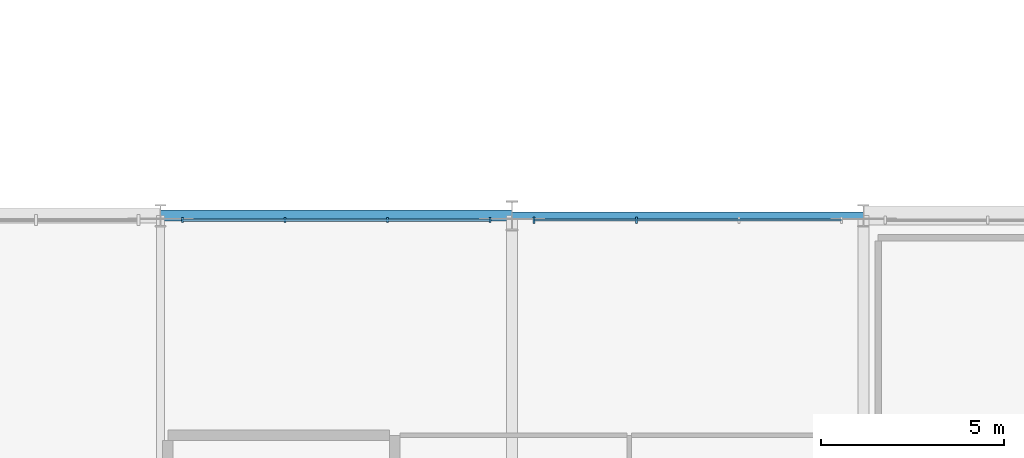
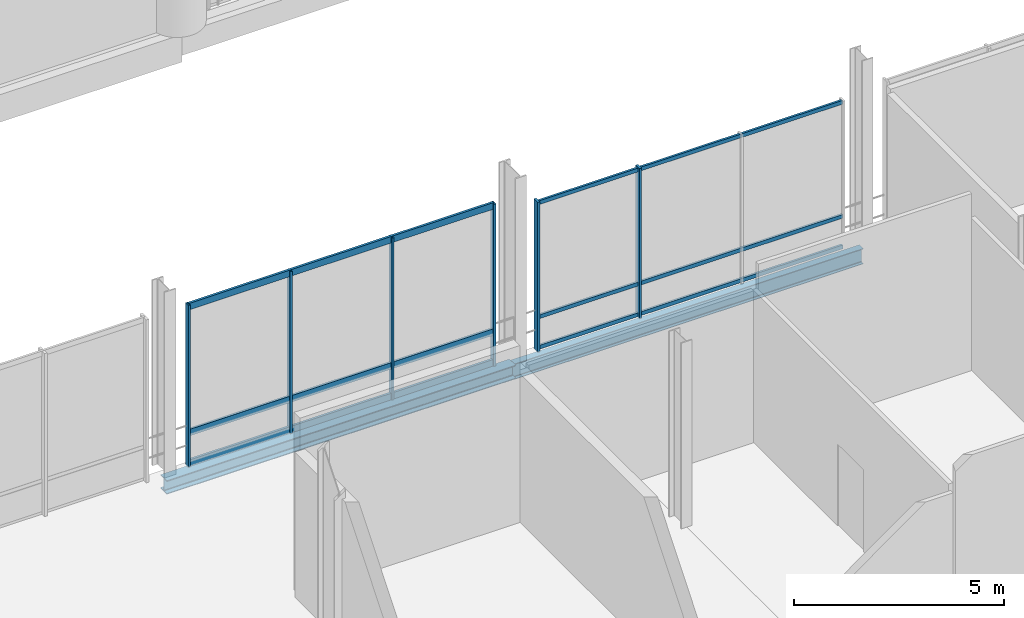
# One storey, part 34 of 129: 12 members, 2 beams, 2 elements without a shape of their own.
"""IFC4 building model written with IfcOpenShell, lengths in metres."""

from ifc_helpers import new_model, si_unit, direction, frame, origin, origin_2d, place, context, subcontext, project, spatial, rectangle, i_section, extrude, material, material_profile, profile_set, type_object, element, aggregate, save


model = new_model("IFC4")

# Units and contexts
model_context = context("Model", 3, precision=1e-05, world=origin(), true_north=direction((0.0, 1.0)))
body_context = subcontext(model_context, "Body", "Model", "MODEL_VIEW")
ifc_project = project(units=[si_unit("LENGTHUNIT", "METRE"), si_unit("AREAUNIT", "SQUARE_METRE"), si_unit("VOLUMEUNIT", "CUBIC_METRE"), si_unit("PLANEANGLEUNIT", "RADIAN"), si_unit("MASSUNIT", "GRAM", prefix="KILO")], contexts=[model_context])

# Site, building, storey
site_placement = place(None, origin())
site = spatial("IfcSite", under=ifc_project, at=site_placement, CompositionType="ELEMENT")
building_placement = place(site_placement, origin())
building = spatial("IfcBuilding", under=site, at=building_placement, Name="Danafjord Basin Convention Centre", CompositionType="ELEMENT")
storey_placement = place(building_placement, frame((0.0, 0.0, 6.0)))
storey = spatial("IfcBuildingStorey", under=building, at=storey_placement, Name="L01", CompositionType="ELEMENT", Elevation=6.0)

# Beams
ifc_material_1 = material(Name="Steel S355", Category="steel")
ifc_material_profile_1 = material_profile(ifc_material_1, i_section(OverallWidth=0.300048828125, OverallDepth=0.39990234375, WebThickness=0.013427734375, FlangeThickness=0.02392578125, FilletRadius=0.027099609375, at=origin_2d()), Name="HEB 400")
ifc_profile_set_1 = profile_set([ifc_material_profile_1], Name="Steel S355")
beam_type_1 = type_object("IfcBeamType", Name="BEAM-SP-HEB400", PredefinedType="SPANDREL", material=ifc_profile_set_1)
beam_1_placement = place(storey_placement, frame((48.0, 40.0, -0.429931640625), z_axis=(1.0, 0.0, 0.0), x_axis=(0.0, 1.0, 0.0)))
element("IfcBeam", 1, at=beam_1_placement, inside=storey, type_object=beam_type_1, Name="L01 girder SP-HEB400", PredefinedType="SPANDREL", context=body_context, shape_type="SweptSolid", body=[
    extrude(i_section(OverallWidth=0.300048828125, OverallDepth=0.39990234375, WebThickness=0.013427734375, FlangeThickness=0.02392578125, FilletRadius=0.027099609375, at=origin_2d()), origin(), (0.0, 0.0, 1.0), 9.60009765625),
])
ifc_material_profile_2 = material_profile(ifc_material_1, i_section(OverallWidth=0.18994140625, OverallDepth=0.449951171875, WebThickness=0.009521484375, FlangeThickness=0.0146484375, FilletRadius=0.02099609375, at=origin_2d()), Name="IPE 450")
ifc_profile_set_2 = profile_set([ifc_material_profile_2], Name="Steel S355")
beam_type_2 = type_object("IfcBeamType", Name="BEAM-SP-IPE450", PredefinedType="SPANDREL", material=ifc_profile_set_2)
beam_2_placement = place(storey_placement, frame((57.60009765625, 40.0, -0.455078125), z_axis=(1.0, 0.0, 0.0), x_axis=(0.0, 1.0, 0.0)))
element("IfcBeam", 2, at=beam_2_placement, inside=storey, type_object=beam_type_2, Name="L01 girder SP-IPE450", PredefinedType="SPANDREL", context=body_context, shape_type="SweptSolid", body=[
    extrude(i_section(OverallWidth=0.18994140625, OverallDepth=0.449951171875, WebThickness=0.009521484375, FlangeThickness=0.0146484375, FilletRadius=0.02099609375, at=origin_2d()), origin(), (0.0, 0.0, 1.0), 9.599853515625),
])

# Curtain wall, members
ifc_material_2 = material(Name="Anodised aluminium and triple glazing", Category="aluminium")
curtain_wall_type = type_object("IfcCurtainWallType", Name="CW-CW-TERR", PredefinedType="NOTDEFINED", material=ifc_material_2)
curtain_wall_1_placement = place(storey_placement, origin())
curtain_wall_1 = element("IfcCurtainWall", 3, at=curtain_wall_1_placement, inside=storey, type_object=curtain_wall_type, Name="L01 CW-TERR unitised curtain wall bay 50", PredefinedType="NOTDEFINED")
ifc_material_3 = material(Name="Anodised aluminium EN AW-6060", Category="aluminium")
ifc_material_profile_3 = material_profile(ifc_material_3, rectangle(XDim=0.06005859375, YDim=0.139892578125, at=origin_2d()), Name="MULL 60x140")
ifc_profile_set_3 = profile_set([ifc_material_profile_3], Name="Anodised aluminium EN AW-6060")
member_type_1 = type_object("IfcMemberType", Name="MEM-ML-140", PredefinedType="MULLION", material=ifc_profile_set_3)
member_1_placement = place(storey_placement, frame((57.0, 39.8798828125, -0.02490234375), z_axis=(0.0, 0.0, 1.0), x_axis=(-1.0, 0.0, 0.0)))
member_1 = element("IfcMember", 4, at=member_1_placement, type_object=member_type_1, Name="CW-L01-050 mullion 1", PredefinedType="MULLION", context=body_context, shape_type="SweptSolid", body=[
    extrude(rectangle(XDim=0.06005859375, YDim=0.139892578125, at=origin_2d()), origin(), (0.0, 0.0, 1.0), 4.71484375),
])
member_2_placement = place(storey_placement, frame((54.199951171875, 39.8798828125, -0.02490234375), z_axis=(0.0, 0.0, 1.0), x_axis=(-1.0, 0.0, 0.0)))
member_2 = element("IfcMember", 5, at=member_2_placement, type_object=member_type_1, Name="CW-L01-050 mullion 2", PredefinedType="MULLION", context=body_context, shape_type="SweptSolid", body=[
    extrude(rectangle(XDim=0.06005859375, YDim=0.139892578125, at=origin_2d()), origin(), (0.0, 0.0, 1.0), 4.71484375),
])
member_3_placement = place(storey_placement, frame((51.39990234375, 39.8798828125, -0.02490234375), z_axis=(0.0, 0.0, 1.0), x_axis=(-1.0, 0.0, 0.0)))
member_3 = element("IfcMember", 6, at=member_3_placement, type_object=member_type_1, Name="CW-L01-050 mullion 3", PredefinedType="MULLION", context=body_context, shape_type="SweptSolid", body=[
    extrude(rectangle(XDim=0.06005859375, YDim=0.139892578125, at=origin_2d()), origin(), (0.0, 0.0, 1.0), 4.71484375),
])
member_4_placement = place(storey_placement, frame((48.60009765625, 39.8798828125, -0.02490234375), z_axis=(0.0, 0.0, 1.0), x_axis=(-1.0, 0.0, 0.0)))
member_4 = element("IfcMember", 7, at=member_4_placement, type_object=member_type_1, Name="CW-L01-050 mullion 4", PredefinedType="MULLION", context=body_context, shape_type="SweptSolid", body=[
    extrude(rectangle(XDim=0.06005859375, YDim=0.139892578125, at=origin_2d()), origin(), (0.0, 0.0, 1.0), 4.71484375),
])

curtain_wall_2_placement = place(storey_placement, origin())
curtain_wall_2 = element("IfcCurtainWall", 8, at=curtain_wall_2_placement, inside=storey, type_object=curtain_wall_type, Name="L01 CW-TERR unitised curtain wall bay 51", PredefinedType="NOTDEFINED")
ifc_material_profile_4 = material_profile(ifc_material_3, rectangle(XDim=0.06005859375, YDim=0.179931640625, at=origin_2d()), Name="MULL 60x180")
ifc_profile_set_4 = profile_set([ifc_material_profile_4], Name="Anodised aluminium EN AW-6060")
member_type_2 = type_object("IfcMemberType", Name="MEM-ML-180", PredefinedType="MULLION", material=ifc_profile_set_4)
member_5_placement = place(storey_placement, frame((61.0, 39.8798828125, -0.02490234375), z_axis=(0.0, 0.0, 1.0), x_axis=(-1.0, 0.0, 0.0)))
member_5 = element("IfcMember", 9, at=member_5_placement, type_object=member_type_2, Name="CW-L01-051 mullion 3", PredefinedType="MULLION", context=body_context, shape_type="SweptSolid", body=[
    extrude(rectangle(XDim=0.06005859375, YDim=0.179931640625, at=origin_2d()), origin(), (0.0, 0.0, 1.0), 4.364990234375),
])
member_6_placement = place(storey_placement, frame((58.199951171875, 39.8798828125, -0.02490234375), z_axis=(0.0, 0.0, 1.0), x_axis=(-1.0, 0.0, 0.0)))
member_6 = element("IfcMember", 10, at=member_6_placement, type_object=member_type_2, Name="CW-L01-051 mullion 4", PredefinedType="MULLION", context=body_context, shape_type="SweptSolid", body=[
    extrude(rectangle(XDim=0.06005859375, YDim=0.179931640625, at=origin_2d()), origin(), (0.0, 0.0, 1.0), 4.364990234375),
])
ifc_material_profile_5 = material_profile(ifc_material_3, rectangle(XDim=0.06005859375, YDim=0.110107421875, at=origin_2d()), Name="TRAN 60x110")
ifc_profile_set_5 = profile_set([ifc_material_profile_5], Name="Anodised aluminium EN AW-6060")
member_type_3 = type_object("IfcMemberType", Name="MEM-TR-110", PredefinedType="USERDEFINED", material=ifc_profile_set_5)
member_7_placement = place(storey_placement, frame((66.60009765625, 39.8798828125, 0.06005859375), z_axis=(-1.0, 0.0, 0.0), x_axis=(0.0, -1.0, 0.0)))
member_7 = element("IfcMember", 11, at=member_7_placement, type_object=member_type_3, Name="CW-L01-051 transom 1", ObjectType="TRANSOM", PredefinedType="USERDEFINED", context=body_context, shape_type="SweptSolid", body=[
    extrude(rectangle(XDim=0.06005859375, YDim=0.110107421875, at=origin_2d()), origin(), (0.0, 0.0, 1.0), 8.400146484375),
])
member_8_placement = place(storey_placement, frame((66.60009765625, 39.8798828125, 0.949951171875), z_axis=(-1.0, 0.0, 0.0), x_axis=(0.0, -1.0, 0.0)))
member_8 = element("IfcMember", 12, at=member_8_placement, type_object=member_type_3, Name="CW-L01-051 transom 2", ObjectType="TRANSOM", PredefinedType="USERDEFINED", context=body_context, shape_type="SweptSolid", body=[
    extrude(rectangle(XDim=0.06005859375, YDim=0.110107421875, at=origin_2d()), origin(), (0.0, 0.0, 1.0), 8.400146484375),
])
member_9_placement = place(storey_placement, frame((66.60009765625, 39.8798828125, 4.27001953125), z_axis=(-1.0, 0.0, 0.0), x_axis=(0.0, -1.0, 0.0)))
member_9 = element("IfcMember", 13, at=member_9_placement, type_object=member_type_3, Name="CW-L01-051 transom 3", ObjectType="TRANSOM", PredefinedType="USERDEFINED", context=body_context, shape_type="SweptSolid", body=[
    extrude(rectangle(XDim=0.06005859375, YDim=0.110107421875, at=origin_2d()), origin(), (0.0, 0.0, 1.0), 8.400146484375),
])
aggregate(curtain_wall_2, [member_5, member_6, member_7, member_8, member_9])

# Member
ifc_material_profile_6 = material_profile(ifc_material_3, rectangle(XDim=0.06494140625, YDim=0.18994140625, at=origin_2d()), Name="TRAN 65x190")
ifc_profile_set_6 = profile_set([ifc_material_profile_6], Name="Anodised aluminium EN AW-6060")
member_type_4 = type_object("IfcMemberType", Name="MEM-TR-190", PredefinedType="USERDEFINED", material=ifc_profile_set_6)
member_10_placement = place(storey_placement, frame((57.0, 39.8798828125, 0.06005859375), z_axis=(-1.0, 0.0, 0.0), x_axis=(0.0, -1.0, 0.0)))
member_10 = element("IfcMember", 14, at=member_10_placement, type_object=member_type_4, Name="CW-L01-050 transom 1", ObjectType="TRANSOM", PredefinedType="USERDEFINED", context=body_context, shape_type="SweptSolid", body=[
    extrude(rectangle(XDim=0.06494140625, YDim=0.18994140625, at=origin_2d()), origin(), (0.0, 0.0, 1.0), 8.39990234375),
])

member_11_placement = place(storey_placement, frame((57.0, 39.8798828125, 0.949951171875), z_axis=(-1.0, 0.0, 0.0), x_axis=(0.0, -1.0, 0.0)))
member_11 = element("IfcMember", 15, at=member_11_placement, type_object=member_type_4, Name="CW-L01-050 transom 2", ObjectType="TRANSOM", PredefinedType="USERDEFINED", context=body_context, shape_type="SweptSolid", body=[
    extrude(rectangle(XDim=0.06494140625, YDim=0.18994140625, at=origin_2d()), origin(), (0.0, 0.0, 1.0), 8.39990234375),
])

member_12_placement = place(storey_placement, frame((57.0, 39.8798828125, 4.6201171875), z_axis=(-1.0, 0.0, 0.0), x_axis=(0.0, -1.0, 0.0)))
member_12 = element("IfcMember", 16, at=member_12_placement, type_object=member_type_4, Name="CW-L01-050 transom 3", ObjectType="TRANSOM", PredefinedType="USERDEFINED", context=body_context, shape_type="SweptSolid", body=[
    extrude(rectangle(XDim=0.06494140625, YDim=0.18994140625, at=origin_2d()), origin(), (0.0, 0.0, 1.0), 8.39990234375),
])

aggregate(curtain_wall_1, [member_1, member_2, member_3, member_4, member_10, member_11, member_12])

save(model, "model.ifc")
